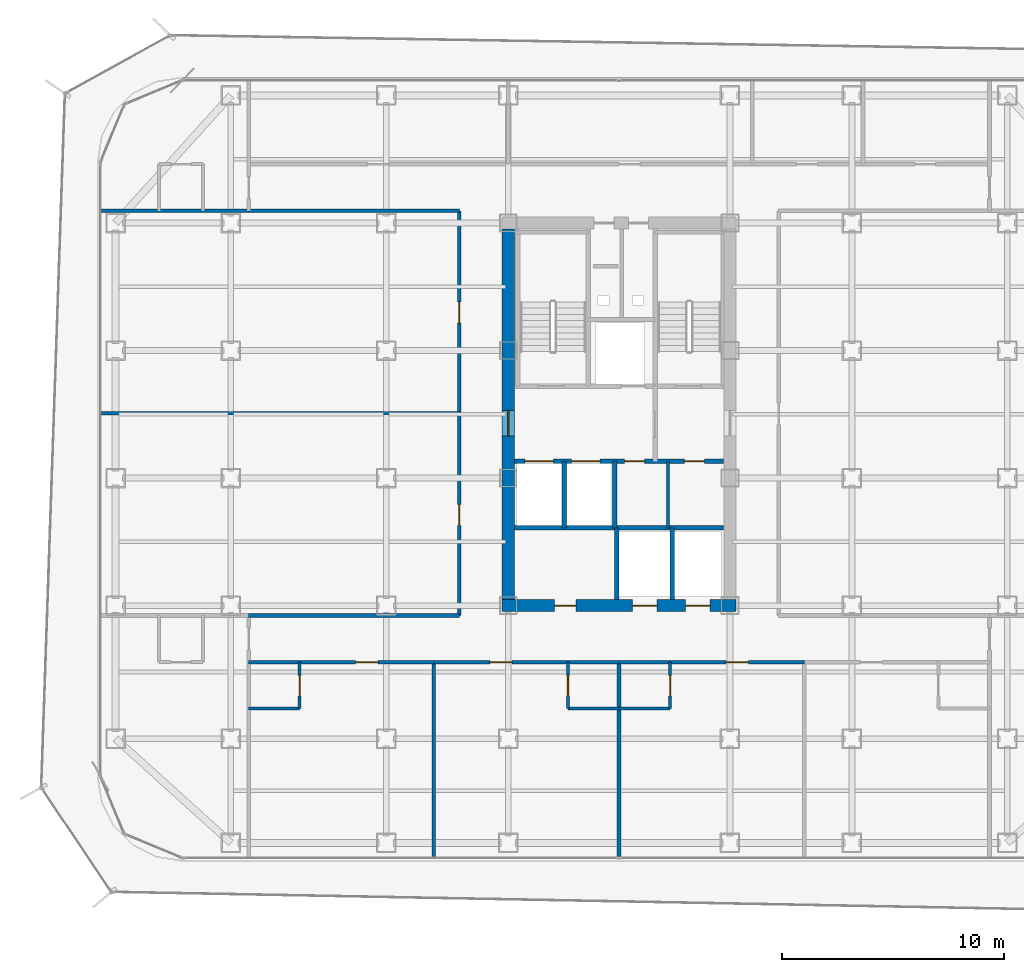
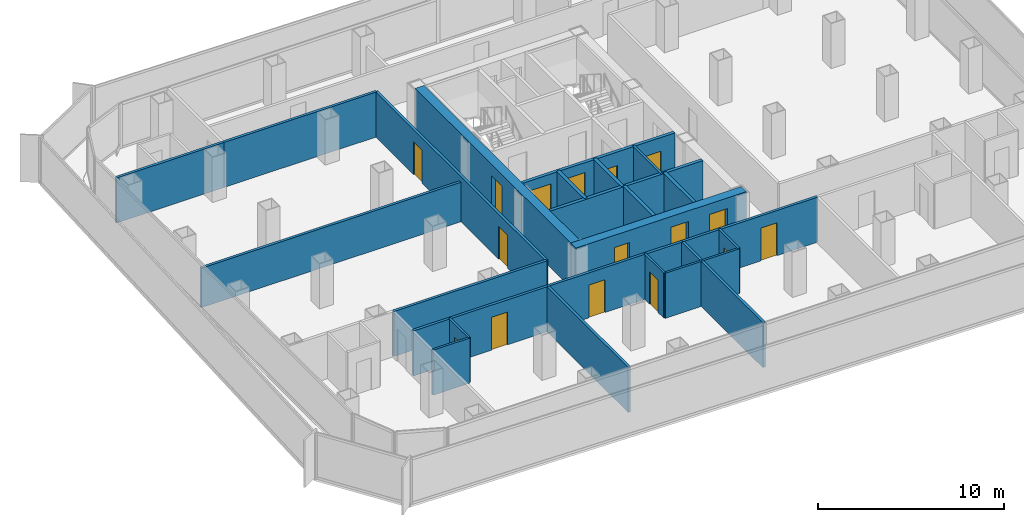
# One storey, part 16 of 21: 28 walls, 16 doors, 16 openings.
"""IFC4 building model written with IfcOpenShell, lengths in metres."""

from ifc_helpers import new_model, si_unit, direction, frame, frame_2d, origin, place, context, subcontext, project, spatial, rectangle, extrude, material, layer, layer_set, type_object, element, fill, save


model = new_model("IFC4")

# Units and contexts
model_context = context("Model", 3, precision=1e-05, world=origin(), true_north=direction((0.0, 1.0)))
body_context = subcontext(model_context, "Body", "Model", "MODEL_VIEW")
ifc_project = project(units=[si_unit("LENGTHUNIT", "METRE"), si_unit("AREAUNIT", "SQUARE_METRE"), si_unit("VOLUMEUNIT", "CUBIC_METRE"), si_unit("PLANEANGLEUNIT", "RADIAN"), si_unit("MASSUNIT", "GRAM", prefix="KILO")], contexts=[model_context])

# Site, building, storey
site_placement = place(None, origin())
site = spatial("IfcSite", under=ifc_project, at=site_placement, CompositionType="ELEMENT")
building_placement = place(site_placement, origin())
building = spatial("IfcBuilding", under=site, at=building_placement, Name="Kolveth Station Tower", CompositionType="ELEMENT")
storey_placement = place(building_placement, frame((0.0, 0.0, 95.89990234375)))
storey = spatial("IfcBuildingStorey", under=building, at=storey_placement, Name="L25", CompositionType="ELEMENT", Elevation=95.89990234375)

# Wall, openings, doors
ifc_material_1 = material(Name="Concrete C60/75", Category="concrete")
ifc_layer_1 = layer(ifc_material_1, 0.550048828125)
ifc_layer_set_1 = layer_set([ifc_layer_1], Name="Concrete C60/75")
wall_type_1 = type_object("IfcWallType", Name="Wall_CW-550", PredefinedType="SHEAR", material=ifc_layer_set_1)
wall_1_placement = place(storey_placement, frame((18.22509765625, 11.5, 0.0), z_axis=(0.0, 0.0, 1.0), x_axis=(1.0, 0.0, 0.0)))
wall_1 = element("IfcWall", 1, at=wall_1_placement, inside=storey, type_object=wall_type_1, Name="L25 Core RC Shear Wall S", PredefinedType="SHEAR", context=body_context, shape_type="SweptSolid", body=[
    extrude(rectangle(XDim=10.5498046875, YDim=0.550048828125, at=frame_2d((5.27490234375, 0.0))), origin(), (0.0, 0.0, 1.0), 2.9501953125),
])
opening_1_placement = place(wall_1_placement, frame((2.375, 0.0, 0.0)))
opening_1 = element("IfcOpeningElement", 2, at=opening_1_placement, cuts=wall_1, Name="Opening ID1", PredefinedType="OPENING", context=body_context, shape_type="SweptSolid", body=[
    extrude(rectangle(XDim=0.949951171875, YDim=2.14990234375, at=frame_2d((0.47509765625, 1.074951171875))), frame((0.0, 0.284912109375, 0.0), z_axis=(0.0, -1.0, 0.0), x_axis=(1.0, 0.0, 0.0)), (0.0, 0.0, 1.0), 0.570068359375),
])
opening_2_placement = place(wall_1_placement, frame((5.875, 0.0, 0.0)))
opening_2 = element("IfcOpeningElement", 3, at=opening_2_placement, cuts=wall_1, Name="Opening LD1", PredefinedType="OPENING", context=body_context, shape_type="SweptSolid", body=[
    extrude(rectangle(XDim=1.10009765625, YDim=2.25, at=frame_2d((0.550048828125, 1.125))), frame((0.0, 0.284912109375, 0.0), z_axis=(0.0, -1.0, 0.0), x_axis=(1.0, 0.0, 0.0)), (0.0, 0.0, 1.0), 0.570068359375),
])
opening_3_placement = place(wall_1_placement, frame((8.27490234375, 0.0, 0.0)))
opening_3 = element("IfcOpeningElement", 4, at=opening_3_placement, cuts=wall_1, Name="Opening LD1", PredefinedType="OPENING", context=body_context, shape_type="SweptSolid", body=[
    extrude(rectangle(XDim=1.10009765625, YDim=2.25, at=frame_2d((0.550048828125, 1.125))), frame((0.0, 0.284912109375, 0.0), z_axis=(0.0, -1.0, 0.0), x_axis=(1.0, 0.0, 0.0)), (0.0, 0.0, 1.0), 0.570068359375),
])
ifc_material_2 = material(Name="Acoustic hardwood leaf and aluminium frame", Category="wood")
door_type_1 = type_object("IfcDoorType", Name="Door_ID1", OperationType="NOTDEFINED", PredefinedType="DOOR", material=ifc_material_2)
door_1_placement = place(opening_1_placement, frame((0.949951171875, 0.0, 0.0), z_axis=(0.0, 0.0, 1.0), x_axis=(-1.0, 0.0, 0.0)))
door_1 = element("IfcDoor", 5, at=door_1_placement, inside=storey, type_object=door_type_1, Name="L25 Hotel Pantry Door", OperationType="SINGLE_SWING_LEFT", OverallHeight=2.14990234375, OverallWidth=0.949951171875, PredefinedType="DOOR", context=body_context, shape_type="SweptSolid", body=[
    extrude(rectangle(XDim=0.949951171875, YDim=2.14990234375, at=frame_2d((0.47509765625, 1.074951171875))), frame((0.0, 0.02490234375, 0.0), z_axis=(0.0, -1.0, 0.0), x_axis=(1.0, 0.0, 0.0)), (0.0, 0.0, 1.0), 0.050048828125),
])
fill(opening_1, door_1)
ifc_material_3 = material(Name="Brushed stainless steel sliding landing doors", Category="steel")
door_type_2 = type_object("IfcDoorType", Name="Door_LD1", OperationType="NOTDEFINED", PredefinedType="DOOR", material=ifc_material_3)
door_2_placement = place(opening_2_placement, frame((1.10009765625, 0.0, 0.0), z_axis=(0.0, 0.0, 1.0), x_axis=(-1.0, 0.0, 0.0)))
door_2 = element("IfcDoor", 6, at=door_2_placement, inside=storey, type_object=door_type_2, Name="L25 Lift PM1 Landing Door", OperationType="DOUBLE_DOOR_SLIDING", OverallHeight=2.25, OverallWidth=1.10009765625, PredefinedType="DOOR", context=body_context, shape_type="SweptSolid", body=[
    extrude(rectangle(XDim=1.10009765625, YDim=2.25, at=frame_2d((0.550048828125, 1.125))), frame((0.0, 0.02490234375, 0.0), z_axis=(0.0, -1.0, 0.0), x_axis=(1.0, 0.0, 0.0)), (0.0, 0.0, 1.0), 0.050048828125),
])
fill(opening_2, door_2)
door_3_placement = place(opening_3_placement, frame((1.10009765625, 0.0, 0.0), z_axis=(0.0, 0.0, 1.0), x_axis=(-1.0, 0.0, 0.0)))
door_3 = element("IfcDoor", 7, at=door_3_placement, inside=storey, type_object=door_type_2, Name="L25 Lift PH1 Landing Door", OperationType="DOUBLE_DOOR_SLIDING", OverallHeight=2.25, OverallWidth=1.10009765625, PredefinedType="DOOR", context=body_context, shape_type="SweptSolid", body=[
    extrude(rectangle(XDim=1.10009765625, YDim=2.25, at=frame_2d((0.550048828125, 1.125))), frame((0.0, 0.02490234375, 0.0), z_axis=(0.0, -1.0, 0.0), x_axis=(1.0, 0.0, 0.0)), (0.0, 0.0, 1.0), 0.050048828125),
])
fill(opening_3, door_3)

# Wall, opening, door
wall_2_placement = place(storey_placement, frame((18.5, 11.77490234375, 0.0), z_axis=(0.0, 0.0, 1.0), x_axis=(0.0, 1.0, 0.0)))
wall_2 = element("IfcWall", 8, at=wall_2_placement, inside=storey, type_object=wall_type_1, Name="L25 Core RC Shear Wall W", PredefinedType="SHEAR", context=body_context, shape_type="SweptSolid", body=[
    extrude(rectangle(XDim=16.7001953125, YDim=0.550048828125, at=frame_2d((8.35009765625, 0.0))), origin(), (0.0, 0.0, 1.0), 2.9501953125),
])
opening_4_placement = place(wall_2_placement, frame((7.375, 0.0, 0.0)))
opening_4 = element("IfcOpeningElement", 9, at=opening_4_placement, cuts=wall_2, Name="Opening FD1", PredefinedType="OPENING", context=body_context, shape_type="SweptSolid", body=[
    extrude(rectangle(XDim=1.14990234375, YDim=2.199951171875, at=frame_2d((0.574951171875, 1.10009765625))), frame((0.0, 0.284912109375, 0.0), z_axis=(0.0, -1.0, 0.0), x_axis=(1.0, 0.0, 0.0)), (0.0, 0.0, 1.0), 0.570068359375),
])
ifc_material_4 = material(Name="Fire-rated Steel S355 leaf and frame", Category="steel")
door_type_3 = type_object("IfcDoorType", Name="Door_FD1", OperationType="NOTDEFINED", PredefinedType="DOOR", material=ifc_material_4)
door_4_placement = place(opening_4_placement, frame((1.14990234375, 0.0, 0.0), z_axis=(0.0, 0.0, 1.0), x_axis=(-1.0, 0.0, 0.0)))
door_4 = element("IfcDoor", 10, at=door_4_placement, inside=storey, type_object=door_type_3, Name="L25 West Corridor to Firefighting Lobby Door", OperationType="SINGLE_SWING_LEFT", OverallHeight=2.199951171875, OverallWidth=1.14990234375, PredefinedType="DOOR", context=body_context, shape_type="SweptSolid", body=[
    extrude(rectangle(XDim=1.14990234375, YDim=2.199951171875, at=frame_2d((0.574951171875, 1.10009765625))), frame((0.0, 0.02490234375, 0.0), z_axis=(0.0, -1.0, 0.0), x_axis=(1.0, 0.0, 0.0)), (0.0, 0.0, 1.0), 0.050048828125),
])
fill(opening_4, door_4)

# Wall
ifc_material_5 = material(Name="Moisture-resistant gypsum partition")
ifc_layer_2 = layer(ifc_material_5, 0.135009765625)
ifc_layer_set_2 = layer_set([ifc_layer_2], Name="Moisture-resistant gypsum partition")
wall_type_2 = type_object("IfcWallType", Name="Wall_IW-135", PredefinedType="PARTITIONING", material=ifc_layer_set_2)
wall_3_placement = place(storey_placement, frame((25.699951171875, 15.0, 0.0), z_axis=(0.0, 0.0, 1.0), x_axis=(0.0, 1.0, 0.0)))
element("IfcWall", 11, at=wall_3_placement, inside=storey, type_object=wall_type_2, Name="L25 Partition Wall WL-L25-CB-V1", PredefinedType="PARTITIONING", context=body_context, shape_type="SweptSolid", body=[
    extrude(rectangle(XDim=3.0, YDim=0.135009765625, at=frame_2d((1.5, 0.0))), origin(), (0.0, 0.0, 1.0), 2.9501953125),
])

# Wall, opening, door
wall_4_placement = place(storey_placement, frame((9.10009765625, 6.85009765625, 0.0), z_axis=(0.0, 0.0, 1.0), x_axis=(0.0, 1.0, 0.0)))
wall_4 = element("IfcWall", 12, at=wall_4_placement, inside=storey, type_object=wall_type_2, Name="L25 Partition Wall WL-L25-HS1-BV", PredefinedType="PARTITIONING", context=body_context, shape_type="SweptSolid", body=[
    extrude(rectangle(XDim=2.099853515625, YDim=0.135009765625, at=frame_2d((1.0498046875, 0.0))), origin(), (0.0, 0.0, 1.0), 2.9501953125),
])
opening_5_placement = place(wall_4_placement, frame((0.580078125, 0.0, 0.0)))
opening_5 = element("IfcOpeningElement", 13, at=opening_5_placement, cuts=wall_4, Name="Opening ID2", PredefinedType="OPENING", context=body_context, shape_type="SweptSolid", body=[
    extrude(rectangle(XDim=0.919921875, YDim=2.10009765625, at=frame_2d((0.4599609375, 1.050048828125))), frame((0.0, 0.077392578125, 0.0), z_axis=(0.0, -1.0, 0.0), x_axis=(1.0, 0.0, 0.0)), (0.0, 0.0, 1.0), 0.155029296875),
])
ifc_material_6 = material(Name="Moisture-resistant hardwood leaf", Category="wood")
door_type_4 = type_object("IfcDoorType", Name="Door_ID2", OperationType="NOTDEFINED", PredefinedType="DOOR", material=ifc_material_6)
door_5_placement = place(opening_5_placement, frame((0.919921875, 0.0, 0.0), z_axis=(0.0, 0.0, 1.0), x_axis=(-1.0, 0.0, 0.0)))
door_5 = element("IfcDoor", 14, at=door_5_placement, inside=storey, type_object=door_type_4, Name="L25 Hotel Corner Suite HS1 En-Suite Door", OperationType="SINGLE_SWING_LEFT", OverallHeight=2.10009765625, OverallWidth=0.919921875, PredefinedType="DOOR", context=body_context, shape_type="SweptSolid", body=[
    extrude(rectangle(XDim=0.919921875, YDim=2.10009765625, at=frame_2d((0.4599609375, 1.050048828125))), frame((0.0, 0.02490234375, 0.0), z_axis=(0.0, -1.0, 0.0), x_axis=(1.0, 0.0, 0.0)), (0.0, 0.0, 1.0), 0.050048828125),
])
fill(opening_5, door_5)

# Wall
wall_5_placement = place(storey_placement, frame((6.800048828125, 6.85009765625, 0.0), z_axis=(0.0, 0.0, 1.0), x_axis=(1.0, 0.0, 0.0)))
element("IfcWall", 15, at=wall_5_placement, inside=storey, type_object=wall_type_2, Name="L25 Partition Wall WL-L25-HS1-BH", PredefinedType="PARTITIONING", context=body_context, shape_type="SweptSolid", body=[
    extrude(rectangle(XDim=2.300048828125, YDim=0.135009765625, at=frame_2d((1.14990234375, 0.0))), origin(), (0.0, 0.0, 1.0), 2.9501953125),
])

# Wall, opening, door
wall_6_placement = place(storey_placement, frame((21.199951171875, 6.85009765625, 0.0), z_axis=(0.0, 0.0, 1.0), x_axis=(0.0, 1.0, 0.0)))
wall_6 = element("IfcWall", 16, at=wall_6_placement, inside=storey, type_object=wall_type_2, Name="L25 Partition Wall WL-L25-HS2-BV", PredefinedType="PARTITIONING", context=body_context, shape_type="SweptSolid", body=[
    extrude(rectangle(XDim=2.099853515625, YDim=0.135009765625, at=frame_2d((1.0498046875, 0.0))), origin(), (0.0, 0.0, 1.0), 2.9501953125),
])
opening_6_placement = place(wall_6_placement, frame((0.580078125, 0.0, 0.0)))
opening_6 = element("IfcOpeningElement", 17, at=opening_6_placement, cuts=wall_6, Name="Opening ID2", PredefinedType="OPENING", context=body_context, shape_type="SweptSolid", body=[
    extrude(rectangle(XDim=0.919921875, YDim=2.10009765625, at=frame_2d((0.4599609375, 1.050048828125))), frame((0.0, 0.077392578125, 0.0), z_axis=(0.0, -1.0, 0.0), x_axis=(1.0, 0.0, 0.0)), (0.0, 0.0, 1.0), 0.155029296875),
])
door_6_placement = place(opening_6_placement, origin())
door_6 = element("IfcDoor", 18, at=door_6_placement, inside=storey, type_object=door_type_4, Name="L25 Hotel Corner Suite HS2 En-Suite Door", OperationType="SINGLE_SWING_RIGHT", OverallHeight=2.10009765625, OverallWidth=0.919921875, PredefinedType="DOOR", context=body_context, shape_type="SweptSolid", body=[
    extrude(rectangle(XDim=0.919921875, YDim=2.10009765625, at=frame_2d((0.4599609375, 1.050048828125))), frame((0.0, 0.02490234375, 0.0), z_axis=(0.0, -1.0, 0.0), x_axis=(1.0, 0.0, 0.0)), (0.0, 0.0, 1.0), 0.050048828125),
])
fill(opening_6, door_6)

# Wall
wall_7_placement = place(storey_placement, frame((21.199951171875, 6.85009765625, 0.0), z_axis=(0.0, 0.0, 1.0), x_axis=(1.0, 0.0, 0.0)))
element("IfcWall", 19, at=wall_7_placement, inside=storey, type_object=wall_type_2, Name="L25 Partition Wall WL-L25-HS2-BH", PredefinedType="PARTITIONING", context=body_context, shape_type="SweptSolid", body=[
    extrude(rectangle(XDim=2.300048828125, YDim=0.135009765625, at=frame_2d((1.14990234375, 0.0))), origin(), (0.0, 0.0, 1.0), 2.9501953125),
])

# Wall, opening, door
wall_8_placement = place(storey_placement, frame((25.800048828125, 6.85009765625, 0.0), z_axis=(0.0, 0.0, 1.0), x_axis=(0.0, 1.0, 0.0)))
wall_8 = element("IfcWall", 20, at=wall_8_placement, inside=storey, type_object=wall_type_2, Name="L25 Partition Wall WL-L25-HS3-BV", PredefinedType="PARTITIONING", context=body_context, shape_type="SweptSolid", body=[
    extrude(rectangle(XDim=2.099853515625, YDim=0.135009765625, at=frame_2d((1.0498046875, 0.0))), origin(), (0.0, 0.0, 1.0), 2.9501953125),
])
opening_7_placement = place(wall_8_placement, frame((0.580078125, 0.0, 0.0)))
opening_7 = element("IfcOpeningElement", 21, at=opening_7_placement, cuts=wall_8, Name="Opening ID2", PredefinedType="OPENING", context=body_context, shape_type="SweptSolid", body=[
    extrude(rectangle(XDim=0.919921875, YDim=2.10009765625, at=frame_2d((0.4599609375, 1.050048828125))), frame((0.0, 0.077392578125, 0.0), z_axis=(0.0, -1.0, 0.0), x_axis=(1.0, 0.0, 0.0)), (0.0, 0.0, 1.0), 0.155029296875),
])
door_7_placement = place(opening_7_placement, frame((0.919921875, 0.0, 0.0), z_axis=(0.0, 0.0, 1.0), x_axis=(-1.0, 0.0, 0.0)))
door_7 = element("IfcDoor", 22, at=door_7_placement, inside=storey, type_object=door_type_4, Name="L25 Hotel Corner Suite HS3 En-Suite Door", OperationType="SINGLE_SWING_RIGHT", OverallHeight=2.10009765625, OverallWidth=0.919921875, PredefinedType="DOOR", context=body_context, shape_type="SweptSolid", body=[
    extrude(rectangle(XDim=0.919921875, YDim=2.10009765625, at=frame_2d((0.4599609375, 1.050048828125))), frame((0.0, 0.02490234375, 0.0), z_axis=(0.0, -1.0, 0.0), x_axis=(1.0, 0.0, 0.0)), (0.0, 0.0, 1.0), 0.050048828125),
])
fill(opening_7, door_7)

# Walls
wall_9_placement = place(storey_placement, frame((23.5, 6.85009765625, 0.0), z_axis=(0.0, 0.0, 1.0), x_axis=(1.0, 0.0, 0.0)))
element("IfcWall", 23, at=wall_9_placement, inside=storey, type_object=wall_type_2, Name="L25 Partition Wall WL-L25-HS3-BH", PredefinedType="PARTITIONING", context=body_context, shape_type="SweptSolid", body=[
    extrude(rectangle(XDim=2.300048828125, YDim=0.135009765625, at=frame_2d((1.14990234375, 0.0))), origin(), (0.0, 0.0, 1.0), 2.9501953125),
])
ifc_material_7 = material(Name="Acoustic double-stud gypsum partition")
ifc_layer_3 = layer(ifc_material_7, 0.1650390625)
ifc_layer_set_3 = layer_set([ifc_layer_3], Name="Acoustic double-stud gypsum partition")
wall_type_3 = type_object("IfcWallType", Name="Wall_IW-165", PredefinedType="PARTITIONING", material=ifc_layer_set_3)
for number, where, z_axis, x_axis, name in (
    (24, (6.800048828125, 11.050048828125, 0.0), (0.0, 0.0, 1.0), (1.0, 0.0, 0.0), "L25 Partition Wall WL-L25-HSWT"),
    (25, (6.800048828125, 29.300048828125, 0.0), (0.0, 0.0, 1.0), (1.0, 0.0, 0.0), "L25 Partition Wall WL-L25-HNWB"),
):
    element("IfcWall", number, at=place(storey_placement, frame(where, z_axis=z_axis, x_axis=x_axis)), inside=storey, type_object=wall_type_3, Name=name, PredefinedType="PARTITIONING", context=body_context, shape_type="SweptSolid", body=[
        extrude(rectangle(XDim=9.5, YDim=0.1650390625, at=frame_2d((4.75, 0.0))), origin(), (0.0, 0.0, 1.0), 2.9501953125),
    ])

# Wall, openings, doors
wall_10_placement = place(storey_placement, frame((16.300048828125, 11.050048828125, 0.0), z_axis=(0.0, 0.0, 1.0), x_axis=(0.0, 1.0, 0.0)))
wall_10 = element("IfcWall", 26, at=wall_10_placement, inside=storey, type_object=wall_type_3, Name="L25 Partition Wall WL-L25-HW", PredefinedType="PARTITIONING", context=body_context, shape_type="SweptSolid", body=[
    extrude(rectangle(XDim=18.25, YDim=0.1650390625, at=frame_2d((9.125, 0.0))), origin(), (0.0, 0.0, 1.0), 2.9501953125),
])
opening_8_placement = place(wall_10_placement, frame((4.06201171875, 0.0, 0.0)))
opening_8 = element("IfcOpeningElement", 27, at=opening_8_placement, cuts=wall_10, Name="Opening ID1", PredefinedType="OPENING", context=body_context, shape_type="SweptSolid", body=[
    extrude(rectangle(XDim=0.949951171875, YDim=2.14990234375, at=frame_2d((0.47509765625, 1.074951171875))), frame((0.0, 0.092529296875, 0.0), z_axis=(0.0, -1.0, 0.0), x_axis=(1.0, 0.0, 0.0)), (0.0, 0.0, 1.0), 0.18505859375),
])
opening_9_placement = place(wall_10_placement, frame((13.18701171875, 0.0, 0.0)))
opening_9 = element("IfcOpeningElement", 28, at=opening_9_placement, cuts=wall_10, Name="Opening ID1", PredefinedType="OPENING", context=body_context, shape_type="SweptSolid", body=[
    extrude(rectangle(XDim=0.949951171875, YDim=2.14990234375, at=frame_2d((0.47509765625, 1.074951171875))), frame((0.0, 0.092529296875, 0.0), z_axis=(0.0, -1.0, 0.0), x_axis=(1.0, 0.0, 0.0)), (0.0, 0.0, 1.0), 0.18505859375),
])
door_8_placement = place(opening_8_placement, frame((0.949951171875, 0.0, 0.0), z_axis=(0.0, 0.0, 1.0), x_axis=(-1.0, 0.0, 0.0)))
door_8 = element("IfcDoor", 29, at=door_8_placement, inside=storey, type_object=door_type_1, Name="L25 Hotel Guest Lounge Door", OperationType="SINGLE_SWING_RIGHT", OverallHeight=2.14990234375, OverallWidth=0.949951171875, PredefinedType="DOOR", context=body_context, shape_type="SweptSolid", body=[
    extrude(rectangle(XDim=0.949951171875, YDim=2.14990234375, at=frame_2d((0.47509765625, 1.074951171875))), frame((0.0, 0.02490234375, 0.0), z_axis=(0.0, -1.0, 0.0), x_axis=(1.0, 0.0, 0.0)), (0.0, 0.0, 1.0), 0.050048828125),
])
fill(opening_8, door_8)
door_9_placement = place(opening_9_placement, frame((0.949951171875, 0.0, 0.0), z_axis=(0.0, 0.0, 1.0), x_axis=(-1.0, 0.0, 0.0)))
door_9 = element("IfcDoor", 30, at=door_9_placement, inside=storey, type_object=door_type_1, Name="L25 Spa Treatment Suite Door", OperationType="SINGLE_SWING_LEFT", OverallHeight=2.14990234375, OverallWidth=0.949951171875, PredefinedType="DOOR", context=body_context, shape_type="SweptSolid", body=[
    extrude(rectangle(XDim=0.949951171875, YDim=2.14990234375, at=frame_2d((0.47509765625, 1.074951171875))), frame((0.0, 0.02490234375, 0.0), z_axis=(0.0, -1.0, 0.0), x_axis=(1.0, 0.0, 0.0)), (0.0, 0.0, 1.0), 0.050048828125),
])
fill(opening_9, door_9)

# Walls
wall_11_placement = place(storey_placement, frame((0.159912109375, 29.300048828125, 0.0), z_axis=(0.0, 0.0, 1.0), x_axis=(1.0, 0.0, 0.0)))
element("IfcWall", 31, at=wall_11_placement, inside=storey, type_object=wall_type_3, Name="L25 Partition Wall WL-L25-WM2", PredefinedType="PARTITIONING", context=body_context, shape_type="SweptSolid", body=[
    extrude(rectangle(XDim=6.64013671875, YDim=0.1650390625, at=frame_2d((3.320068359375, 0.0))), origin(), (0.0, 0.0, 1.0), 2.9501953125),
])
wall_12_placement = place(storey_placement, frame((6.800048828125, 8.949951171875, 0.0), z_axis=(0.0, 0.0, 1.0), x_axis=(1.0, 0.0, 0.0)))
element("IfcWall", 32, at=wall_12_placement, inside=storey, type_object=wall_type_3, Name="L25 Partition Wall WL-L25-HS1-BCOR", PredefinedType="PARTITIONING", context=body_context, shape_type="SweptSolid", body=[
    extrude(rectangle(XDim=2.300048828125, YDim=0.1650390625, at=frame_2d((1.14990234375, 0.0))), origin(), (0.0, 0.0, 1.0), 2.9501953125),
])

# Wall, opening, door
wall_13_placement = place(storey_placement, frame((9.10009765625, 8.949951171875, 0.0), z_axis=(0.0, 0.0, 1.0), x_axis=(1.0, 0.0, 0.0)))
wall_13 = element("IfcWall", 33, at=wall_13_placement, inside=storey, type_object=wall_type_3, Name="L25 Partition Wall WL-L25-HS1-RCOR", PredefinedType="PARTITIONING", context=body_context, shape_type="SweptSolid", body=[
    extrude(rectangle(XDim=6.0498046875, YDim=0.1650390625, at=frame_2d((3.02490234375, 0.0))), origin(), (0.0, 0.0, 1.0), 2.9501953125),
])
opening_10_placement = place(wall_13_placement, frame((2.52490234375, 0.0, 0.0)))
opening_10 = element("IfcOpeningElement", 34, at=opening_10_placement, cuts=wall_13, Name="Opening FD3", PredefinedType="OPENING", context=body_context, shape_type="SweptSolid", body=[
    extrude(rectangle(XDim=1.0, YDim=2.14990234375, at=frame_2d((0.5, 1.074951171875))), frame((0.0, 0.092529296875, 0.0), z_axis=(0.0, -1.0, 0.0), x_axis=(1.0, 0.0, 0.0)), (0.0, 0.0, 1.0), 0.18505859375),
])
ifc_material_8 = material(Name="Fire-rated hardwood leaf and aluminium frame", Category="wood")
door_type_5 = type_object("IfcDoorType", Name="Door_FD3", OperationType="NOTDEFINED", PredefinedType="DOOR", material=ifc_material_8)
door_10_placement = place(opening_10_placement, frame((1.0, 0.0, 0.0), z_axis=(0.0, 0.0, 1.0), x_axis=(-1.0, 0.0, 0.0)))
door_10 = element("IfcDoor", 35, at=door_10_placement, inside=storey, type_object=door_type_5, Name="L25 Hotel Corner Suite HS1 Entrance Door", OperationType="SINGLE_SWING_LEFT", OverallHeight=2.14990234375, OverallWidth=1.0, PredefinedType="DOOR", context=body_context, shape_type="SweptSolid", body=[
    extrude(rectangle(XDim=1.0, YDim=2.14990234375, at=frame_2d((0.5, 1.074951171875))), frame((0.0, 0.02490234375, 0.0), z_axis=(0.0, -1.0, 0.0), x_axis=(1.0, 0.0, 0.0)), (0.0, 0.0, 1.0), 0.050048828125),
])
fill(opening_10, door_10)

# Walls
wall_14_placement = place(storey_placement, frame((15.14990234375, 0.159912109375, 0.0), z_axis=(0.0, 0.0, 1.0), x_axis=(0.0, 1.0, 0.0)))
element("IfcWall", 36, at=wall_14_placement, inside=storey, type_object=wall_type_3, Name="L25 Partition Wall WL-L25-HSK-1", PredefinedType="PARTITIONING", context=body_context, shape_type="SweptSolid", body=[
    extrude(rectangle(XDim=8.7900390625, YDim=0.1650390625, at=frame_2d((4.39501953125, 0.0))), origin(), (0.0, 0.0, 1.0), 2.9501953125),
])
wall_15_placement = place(storey_placement, frame((21.199951171875, 8.949951171875, 0.0), z_axis=(0.0, 0.0, 1.0), x_axis=(1.0, 0.0, 0.0)))
element("IfcWall", 37, at=wall_15_placement, inside=storey, type_object=wall_type_3, Name="L25 Partition Wall WL-L25-HS2-BCOR", PredefinedType="PARTITIONING", context=body_context, shape_type="SweptSolid", body=[
    extrude(rectangle(XDim=2.300048828125, YDim=0.1650390625, at=frame_2d((1.14990234375, 0.0))), origin(), (0.0, 0.0, 1.0), 2.9501953125),
])

# Wall, opening, door
wall_16_placement = place(storey_placement, frame((15.14990234375, 8.949951171875, 0.0), z_axis=(0.0, 0.0, 1.0), x_axis=(1.0, 0.0, 0.0)))
wall_16 = element("IfcWall", 38, at=wall_16_placement, inside=storey, type_object=wall_type_3, Name="L25 Partition Wall WL-L25-HS2-RCOR", PredefinedType="PARTITIONING", context=body_context, shape_type="SweptSolid", body=[
    extrude(rectangle(XDim=6.050048828125, YDim=0.1650390625, at=frame_2d((3.02490234375, 0.0))), origin(), (0.0, 0.0, 1.0), 2.9501953125),
])
opening_11_placement = place(wall_16_placement, frame((2.52490234375, 0.0, 0.0)))
opening_11 = element("IfcOpeningElement", 39, at=opening_11_placement, cuts=wall_16, Name="Opening FD3", PredefinedType="OPENING", context=body_context, shape_type="SweptSolid", body=[
    extrude(rectangle(XDim=1.0, YDim=2.14990234375, at=frame_2d((0.5, 1.074951171875))), frame((0.0, 0.092529296875, 0.0), z_axis=(0.0, -1.0, 0.0), x_axis=(1.0, 0.0, 0.0)), (0.0, 0.0, 1.0), 0.18505859375),
])
door_11_placement = place(opening_11_placement, frame((1.0, 0.0, 0.0), z_axis=(0.0, 0.0, 1.0), x_axis=(-1.0, 0.0, 0.0)))
door_11 = element("IfcDoor", 40, at=door_11_placement, inside=storey, type_object=door_type_5, Name="L25 Hotel Corner Suite HS2 Entrance Door", OperationType="SINGLE_SWING_LEFT", OverallHeight=2.14990234375, OverallWidth=1.0, PredefinedType="DOOR", context=body_context, shape_type="SweptSolid", body=[
    extrude(rectangle(XDim=1.0, YDim=2.14990234375, at=frame_2d((0.5, 1.074951171875))), frame((0.0, 0.02490234375, 0.0), z_axis=(0.0, -1.0, 0.0), x_axis=(1.0, 0.0, 0.0)), (0.0, 0.0, 1.0), 0.050048828125),
])
fill(opening_11, door_11)

# Walls
wall_17_placement = place(storey_placement, frame((23.5, 0.159912109375, 0.0), z_axis=(0.0, 0.0, 1.0), x_axis=(0.0, 1.0, 0.0)))
element("IfcWall", 41, at=wall_17_placement, inside=storey, type_object=wall_type_3, Name="L25 Partition Wall WL-L25-HSK-2", PredefinedType="PARTITIONING", context=body_context, shape_type="SweptSolid", body=[
    extrude(rectangle(XDim=8.7900390625, YDim=0.1650390625, at=frame_2d((4.39501953125, 0.0))), origin(), (0.0, 0.0, 1.0), 2.9501953125),
])
wall_18_placement = place(storey_placement, frame((23.5, 8.949951171875, 0.0), z_axis=(0.0, 0.0, 1.0), x_axis=(1.0, 0.0, 0.0)))
element("IfcWall", 42, at=wall_18_placement, inside=storey, type_object=wall_type_3, Name="L25 Partition Wall WL-L25-HS3-BCOR", PredefinedType="PARTITIONING", context=body_context, shape_type="SweptSolid", body=[
    extrude(rectangle(XDim=2.300048828125, YDim=0.1650390625, at=frame_2d((1.14990234375, 0.0))), origin(), (0.0, 0.0, 1.0), 2.9501953125),
])

# Wall, opening, door
wall_19_placement = place(storey_placement, frame((25.800048828125, 8.949951171875, 0.0), z_axis=(0.0, 0.0, 1.0), x_axis=(1.0, 0.0, 0.0)))
wall_19 = element("IfcWall", 43, at=wall_19_placement, inside=storey, type_object=wall_type_3, Name="L25 Partition Wall WL-L25-HS3-RCOR", PredefinedType="PARTITIONING", context=body_context, shape_type="SweptSolid", body=[
    extrude(rectangle(XDim=6.050048828125, YDim=0.1650390625, at=frame_2d((3.02490234375, 0.0))), origin(), (0.0, 0.0, 1.0), 2.9501953125),
])
opening_12_placement = place(wall_19_placement, frame((2.52490234375, 0.0, 0.0)))
opening_12 = element("IfcOpeningElement", 44, at=opening_12_placement, cuts=wall_19, Name="Opening FD3", PredefinedType="OPENING", context=body_context, shape_type="SweptSolid", body=[
    extrude(rectangle(XDim=1.0, YDim=2.14990234375, at=frame_2d((0.5, 1.074951171875))), frame((0.0, 0.092529296875, 0.0), z_axis=(0.0, -1.0, 0.0), x_axis=(1.0, 0.0, 0.0)), (0.0, 0.0, 1.0), 0.18505859375),
])
door_12_placement = place(opening_12_placement, frame((1.0, 0.0, 0.0), z_axis=(0.0, 0.0, 1.0), x_axis=(-1.0, 0.0, 0.0)))
door_12 = element("IfcDoor", 45, at=door_12_placement, inside=storey, type_object=door_type_5, Name="L25 Hotel Corner Suite HS3 Entrance Door", OperationType="SINGLE_SWING_LEFT", OverallHeight=2.14990234375, OverallWidth=1.0, PredefinedType="DOOR", context=body_context, shape_type="SweptSolid", body=[
    extrude(rectangle(XDim=1.0, YDim=2.14990234375, at=frame_2d((0.5, 1.074951171875))), frame((0.0, 0.02490234375, 0.0), z_axis=(0.0, -1.0, 0.0), x_axis=(1.0, 0.0, 0.0)), (0.0, 0.0, 1.0), 0.050048828125),
])
fill(opening_12, door_12)

# Wall
wall_20_placement = place(storey_placement, frame((0.159912109375, 20.175048828125, 0.0), z_axis=(0.0, 0.0, 1.0), x_axis=(1.0, 0.0, 0.0)))
element("IfcWall", 46, at=wall_20_placement, inside=storey, type_object=wall_type_3, Name="L25 Partition Wall WL-L25-HMW-P1", PredefinedType="PARTITIONING", context=body_context, shape_type="SweptSolid", body=[
    extrude(rectangle(XDim=16.14013671875, YDim=0.1650390625, at=frame_2d((8.070068359375, 0.0))), origin(), (0.0, 0.0, 1.0), 2.5830078125),
])

# Wall, openings, doors
ifc_material_9 = material(Name="Acoustic fire-rated gypsum blockwork", Category="masonry")
ifc_layer_4 = layer(ifc_material_9, 0.199951171875)
ifc_layer_set_4 = layer_set([ifc_layer_4], Name="Acoustic fire-rated gypsum blockwork")
wall_type_4 = type_object("IfcWallType", Name="Wall_IW-200", PredefinedType="PARTITIONING", material=ifc_layer_set_4)
wall_21_placement = place(storey_placement, frame((18.784912109375, 18.0, 0.0), z_axis=(0.0, 0.0, 1.0), x_axis=(1.0, 0.0, 0.0)))
wall_21 = element("IfcWall", 47, at=wall_21_placement, inside=storey, type_object=wall_type_4, Name="L25 Partition Wall WL-L25-FFL-S", PredefinedType="PARTITIONING", context=body_context, shape_type="SweptSolid", body=[
    extrude(rectangle(XDim=9.43017578125, YDim=0.199951171875, at=frame_2d((4.715087890625, 0.0))), origin(), (0.0, 0.0, 1.0), 2.9501953125),
])
opening_13_placement = place(wall_21_placement, frame((0.465087890625, 0.0, 0.0)))
opening_13 = element("IfcOpeningElement", 48, at=opening_13_placement, cuts=wall_21, Name="Opening LD2", PredefinedType="OPENING", context=body_context, shape_type="SweptSolid", body=[
    extrude(rectangle(XDim=1.300048828125, YDim=2.300048828125, at=frame_2d((0.64990234375, 1.14990234375))), frame((0.0, 0.10986328125, 0.0), z_axis=(0.0, -1.0, 0.0), x_axis=(1.0, 0.0, 0.0)), (0.0, 0.0, 1.0), 0.219970703125),
])
opening_14_placement = place(wall_21_placement, frame((2.56494140625, 0.0, 0.0)))
opening_14 = element("IfcOpeningElement", 49, at=opening_14_placement, cuts=wall_21, Name="Opening LD2", PredefinedType="OPENING", context=body_context, shape_type="SweptSolid", body=[
    extrude(rectangle(XDim=1.300048828125, YDim=2.300048828125, at=frame_2d((0.64990234375, 1.14990234375))), frame((0.0, 0.10986328125, 0.0), z_axis=(0.0, -1.0, 0.0), x_axis=(1.0, 0.0, 0.0)), (0.0, 0.0, 1.0), 0.219970703125),
])
opening_15_placement = place(wall_21_placement, frame((4.965087890625, 0.0, 0.0)))
opening_15 = element("IfcOpeningElement", 50, at=opening_15_placement, cuts=wall_21, Name="Opening RD1", PredefinedType="OPENING", context=body_context, shape_type="SweptSolid", body=[
    extrude(rectangle(XDim=0.89990234375, YDim=2.050048828125, at=frame_2d((0.449951171875, 1.02490234375))), frame((0.0, 0.10986328125, 0.0), z_axis=(0.0, -1.0, 0.0), x_axis=(1.0, 0.0, 0.0)), (0.0, 0.0, 1.0), 0.219970703125),
])
opening_16_placement = place(wall_21_placement, frame((7.6650390625, 0.0, 0.0)))
opening_16 = element("IfcOpeningElement", 51, at=opening_16_placement, cuts=wall_21, Name="Opening RD1", PredefinedType="OPENING", context=body_context, shape_type="SweptSolid", body=[
    extrude(rectangle(XDim=0.89990234375, YDim=2.050048828125, at=frame_2d((0.449951171875, 1.02490234375))), frame((0.0, 0.10986328125, 0.0), z_axis=(0.0, -1.0, 0.0), x_axis=(1.0, 0.0, 0.0)), (0.0, 0.0, 1.0), 0.219970703125),
])
ifc_material_10 = material(Name="Firefighting stainless steel sliding landing doors", Category="steel")
door_type_6 = type_object("IfcDoorType", Name="Door_LD2", OperationType="NOTDEFINED", PredefinedType="DOOR", material=ifc_material_10)
door_13_placement = place(opening_13_placement, origin())
door_13 = element("IfcDoor", 52, at=door_13_placement, inside=storey, type_object=door_type_6, Name="L25 Firefighting Lift FF1 Landing Door", OperationType="DOUBLE_DOOR_SLIDING", OverallHeight=2.300048828125, OverallWidth=1.300048828125, PredefinedType="DOOR", context=body_context, shape_type="SweptSolid", body=[
    extrude(rectangle(XDim=1.300048828125, YDim=2.300048828125, at=frame_2d((0.64990234375, 1.14990234375))), frame((0.0, 0.02490234375, 0.0), z_axis=(0.0, -1.0, 0.0), x_axis=(1.0, 0.0, 0.0)), (0.0, 0.0, 1.0), 0.050048828125),
])
fill(opening_13, door_13)
door_14_placement = place(opening_14_placement, origin())
door_14 = element("IfcDoor", 53, at=door_14_placement, inside=storey, type_object=door_type_6, Name="L25 Firefighting Lift FF2 Landing Door", OperationType="DOUBLE_DOOR_SLIDING", OverallHeight=2.300048828125, OverallWidth=1.300048828125, PredefinedType="DOOR", context=body_context, shape_type="SweptSolid", body=[
    extrude(rectangle(XDim=1.300048828125, YDim=2.300048828125, at=frame_2d((0.64990234375, 1.14990234375))), frame((0.0, 0.02490234375, 0.0), z_axis=(0.0, -1.0, 0.0), x_axis=(1.0, 0.0, 0.0)), (0.0, 0.0, 1.0), 0.050048828125),
])
fill(opening_14, door_14)
ifc_material_11 = material(Name="Fire-rated Steel S355 riser access leaf", Category="steel")
door_type_7 = type_object("IfcDoorType", Name="Door_RD1", OperationType="NOTDEFINED", PredefinedType="DOOR", material=ifc_material_11)
door_15_placement = place(opening_15_placement, frame((0.89990234375, 0.0, 0.0), z_axis=(0.0, 0.0, 1.0), x_axis=(-1.0, 0.0, 0.0)))
door_15 = element("IfcDoor", 54, at=door_15_placement, inside=storey, type_object=door_type_7, Name="L25 Core Accessible WC Door", OperationType="SINGLE_SWING_LEFT", OverallHeight=2.050048828125, OverallWidth=0.89990234375, PredefinedType="DOOR", context=body_context, shape_type="SweptSolid", body=[
    extrude(rectangle(XDim=0.89990234375, YDim=2.050048828125, at=frame_2d((0.449951171875, 1.02490234375))), frame((0.0, 0.02490234375, 0.0), z_axis=(0.0, -1.0, 0.0), x_axis=(1.0, 0.0, 0.0)), (0.0, 0.0, 1.0), 0.050048828125),
])
fill(opening_15, door_15)
door_16_placement = place(opening_16_placement, frame((0.89990234375, 0.0, 0.0), z_axis=(0.0, 0.0, 1.0), x_axis=(-1.0, 0.0, 0.0)))
door_16 = element("IfcDoor", 55, at=door_16_placement, inside=storey, type_object=door_type_7, Name="L25 Housekeeping and Linen Room Door", OperationType="SINGLE_SWING_RIGHT", OverallHeight=2.050048828125, OverallWidth=0.89990234375, PredefinedType="DOOR", context=body_context, shape_type="SweptSolid", body=[
    extrude(rectangle(XDim=0.89990234375, YDim=2.050048828125, at=frame_2d((0.449951171875, 1.02490234375))), frame((0.0, 0.02490234375, 0.0), z_axis=(0.0, -1.0, 0.0), x_axis=(1.0, 0.0, 0.0)), (0.0, 0.0, 1.0), 0.050048828125),
])
fill(opening_16, door_16)

# Walls
for number, where, z_axis, x_axis, name in (
    (56, (21.02001953125, 15.0, 0.0), (0.0, 0.0, 1.0), (0.0, 1.0, 0.0), "L25 Partition Wall WL-L25-FF12"),
    (57, (23.300048828125, 15.0, 0.0), (0.0, 0.0, 1.0), (0.0, 1.0, 0.0), "L25 Partition Wall WL-L25-FF2E"),
):
    element("IfcWall", number, at=place(storey_placement, frame(where, z_axis=z_axis, x_axis=x_axis)), inside=storey, type_object=wall_type_4, Name=name, PredefinedType="PARTITIONING", context=body_context, shape_type="SweptSolid", body=[
        extrude(rectangle(XDim=3.0, YDim=0.199951171875, at=frame_2d((1.5, 0.0))), origin(), (0.0, 0.0, 1.0), 2.9501953125),
    ])
wall_22_placement = place(storey_placement, frame((18.784912109375, 15.0, 0.0), z_axis=(0.0, 0.0, 1.0), x_axis=(1.0, 0.0, 0.0)))
element("IfcWall", 58, at=wall_22_placement, inside=storey, type_object=wall_type_4, Name="L25 Partition Wall WL-L25-BOH-S", PredefinedType="PARTITIONING", context=body_context, shape_type="SweptSolid", body=[
    extrude(rectangle(XDim=9.43017578125, YDim=0.199951171875, at=frame_2d((4.715087890625, 0.0))), origin(), (0.0, 0.0, 1.0), 2.9501953125),
])
for number, where, z_axis, x_axis, name in (
    (59, (23.39990234375, 11.784912109375, 0.0), (0.0, 0.0, 1.0), (0.0, 1.0, 0.0), "L25 Partition Wall WL-L25-PL2E"),
    (60, (25.89990234375, 11.784912109375, 0.0), (0.0, 0.0, 1.0), (0.0, 1.0, 0.0), "L25 Partition Wall WL-L25-PMPH"),
):
    element("IfcWall", number, at=place(storey_placement, frame(where, z_axis=z_axis, x_axis=x_axis)), inside=storey, type_object=wall_type_4, Name=name, PredefinedType="PARTITIONING", context=body_context, shape_type="SweptSolid", body=[
        extrude(rectangle(XDim=3.215087890625, YDim=0.199951171875, at=frame_2d((1.607421875, 0.0))), origin(), (0.0, 0.0, 1.0), 2.9501953125),
    ])

save(model, "model.ifc")
